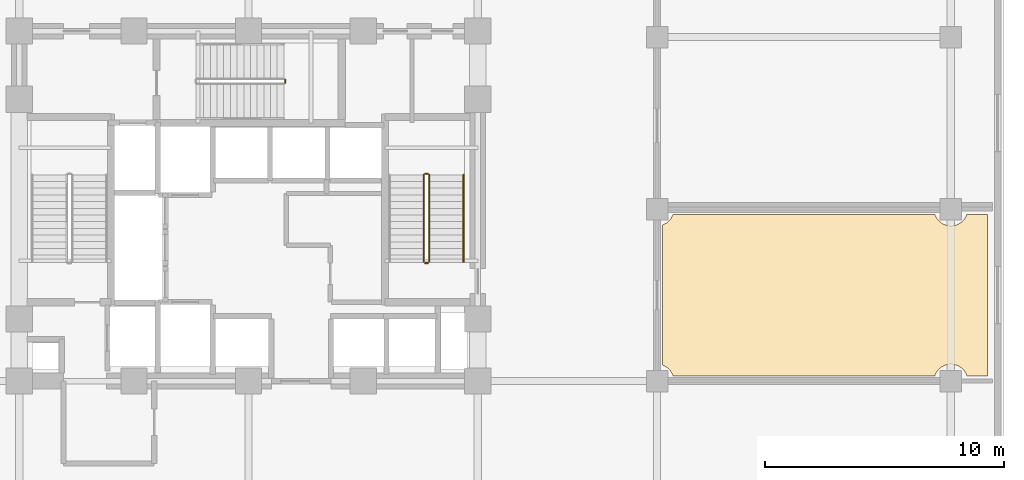
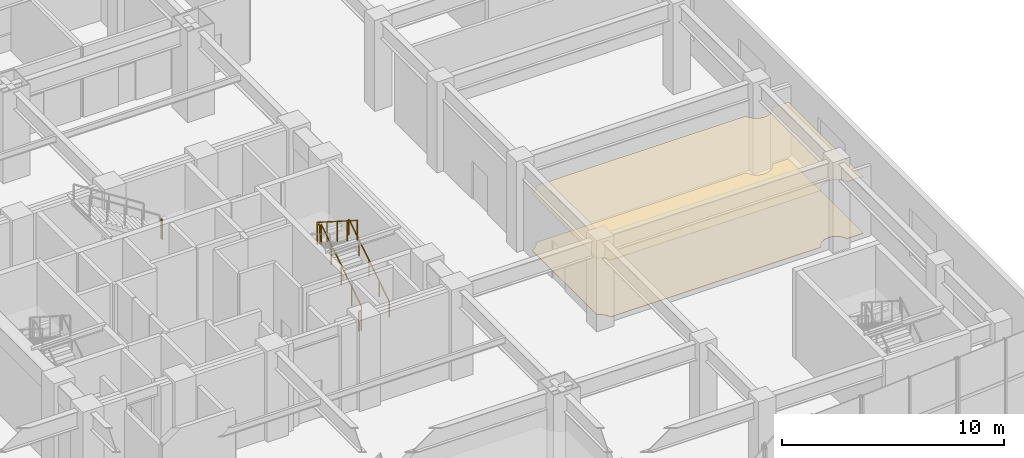
# One storey, part 20 of 24: 6 railings, 2 coverings.
"""IFC4 building model written with IfcOpenShell, lengths in metres."""

import ifcopenshell
import ifcopenshell.guid

model = None  # the IFC model being written
_history = None  # IfcOwnerHistory: only IFC2X3 demands one
_inside = {}  # id of a spatial element -> (the spatial element, [elements in it])
_under = {}  # id of a project, library or spatial element -> (it, [spatial elements below it])
_declared = {}  # id of a project -> (the project, [libraries it declares])
_typed = {}  # id of a type object -> (the type object, [elements of that type])
_made_of = {}  # id of a material, layer set ... -> (it, [elements and type objects made of it])


def new_model(schema):
    """Start an empty IFC model of exactly this schema.

    Asked for "IFC4X3", IfcOpenShell would pick the latest addendum, in which some entities
    have other attributes; the version numbers below select the first issue.
    IFC2X3 requires an IfcOwnerHistory on every rooted entity: one is made here for all.
    """
    global model, _history
    if schema == "IFC4X3":
        model = ifcopenshell.file(schema_version=(4, 3, 0, 0))
    else:
        model = ifcopenshell.file(schema=schema)
    _inside.clear()
    _under.clear()
    _declared.clear()
    _typed.clear()
    _made_of.clear()
    _history = None
    if model.schema == "IFC2X3":
        org = make("IfcOrganization", Name="unknown")
        user = make(
            "IfcPersonAndOrganization",
            ThePerson=make("IfcPerson", FamilyName="unknown"),
            TheOrganization=org,
        )
        app = make(
            "IfcApplication",
            ApplicationDeveloper=org,
            Version="unknown",
            ApplicationFullName="unknown",
            ApplicationIdentifier="unknown",
        )
        _history = make(
            "IfcOwnerHistory",
            OwningUser=user,
            OwningApplication=app,
            ChangeAction="ADDED",
            CreationDate=0,
        )
    return model


def make(cls, **values):
    """One entity of the class cls with the attributes given. An attribute that is None is left unset."""
    return model.create_entity(
        cls, **{name: value for name, value in values.items() if value is not None}
    )


def rooted(cls, **values):
    """An entity with a GlobalId (a new one), such as an element, a storey or a relation."""
    return make(cls, GlobalId=ifcopenshell.guid.new(), OwnerHistory=_history, **values)


def si_unit(unit_type, name, prefix=None):
    """IfcSIUnit, for example si_unit("LENGTHUNIT", "METRE", prefix="MILLI")."""
    return make("IfcSIUnit", UnitType=unit_type, Prefix=prefix, Name=name)


def assignment(units):
    """IfcUnitAssignment: the units of a project."""
    return None if units is None else make("IfcUnitAssignment", Units=units)


def point(xyz):
    """IfcCartesianPoint."""
    return None if xyz is None else make("IfcCartesianPoint", Coordinates=xyz)


def direction(xyz):
    """IfcDirection."""
    return None if xyz is None else make("IfcDirection", DirectionRatios=xyz)


def frame(location, z_axis=None, x_axis=None):
    """IfcAxis2Placement3D, a coordinate frame: its origin and axes. An axis left out is left unset."""
    return make(
        "IfcAxis2Placement3D",
        Location=point(location),
        Axis=direction(z_axis),
        RefDirection=direction(x_axis),
    )


def frame_2d(location, x_axis=None):
    """IfcAxis2Placement2D, a coordinate frame in the plane: its origin and x axis."""
    return make(
        "IfcAxis2Placement2D", Location=point(location), RefDirection=direction(x_axis)
    )


def origin():
    """The frame at (0, 0, 0) with its axes left unset."""
    return frame((0.0, 0.0, 0.0))


def origin_2d():
    """The frame at (0, 0) in the plane with its x axis left unset."""
    return frame_2d((0.0, 0.0))


def place(relative_to, where):
    """IfcLocalPlacement: puts the frame where relative to a parent placement (None: the world)."""
    return make(
        "IfcLocalPlacement", PlacementRelTo=relative_to, RelativePlacement=where
    )


def context(
    kind, dimensions, precision=None, world=None, true_north=None, identifier=None
):
    """IfcGeometricRepresentationContext, for example the 3D "Model" context."""
    return make(
        "IfcGeometricRepresentationContext",
        ContextIdentifier=identifier,
        ContextType=kind,
        CoordinateSpaceDimension=dimensions,
        Precision=precision,
        WorldCoordinateSystem=world,
        TrueNorth=true_north,
    )


def subcontext(parent, identifier, kind, view, scale=None):
    """IfcGeometricRepresentationSubContext, for example "Body" below "Model"."""
    return make(
        "IfcGeometricRepresentationSubContext",
        ContextIdentifier=identifier,
        ContextType=kind,
        ParentContext=parent,
        TargetScale=scale,
        TargetView=view,
    )


def project(units=None, contexts=None):
    """IfcProject with its units and contexts."""
    return rooted(
        "IfcProject",
        Name="project",
        RepresentationContexts=contexts,
        UnitsInContext=assignment(units),
    )


def spatial(cls, under=None, at=None, **own):
    """A site, building, storey or space (cls), placed at a placement, below another one or the project."""
    s = rooted(cls, ObjectPlacement=at, **own)
    if under is not None:
        _under.setdefault(under.id(), (under, []))[1].append(s)
    return s


def polyline(points):
    """IfcPolyline through the points."""
    return make("IfcPolyline", Points=[point(p) for p in points])


def profile(cls, at=None, kind="AREA", **sizes):
    """A parametric profile (cls). Its sizes go by their IFC names, for example OverallWidth=200.0."""
    return make(cls, ProfileType=kind, Position=at, **sizes)


def rectangle(**sizes):
    """IfcRectangleProfileDef."""
    return profile("IfcRectangleProfileDef", **sizes)


def outline(outer, holes=None, kind="AREA"):
    """IfcArbitraryClosedProfileDef: a profile drawn as a closed curve; with holes, ...WithVoids."""
    if holes is None:
        return make("IfcArbitraryClosedProfileDef", ProfileType=kind, OuterCurve=outer)
    return make(
        "IfcArbitraryProfileDefWithVoids",
        ProfileType=kind,
        OuterCurve=outer,
        InnerCurves=holes,
    )


def extrude(swept, where, along, depth):
    """IfcExtrudedAreaSolid: the profile swept, set in the frame where, extruded along a direction by depth."""
    return make(
        "IfcExtrudedAreaSolid",
        SweptArea=swept,
        Position=where,
        ExtrudedDirection=direction(along),
        Depth=depth,
    )


def shape(context_of_items, identifier, shape_type, items):
    """IfcShapeRepresentation: the items that make up one representation, for example the "Body"."""
    return make(
        "IfcShapeRepresentation",
        ContextOfItems=context_of_items,
        RepresentationIdentifier=identifier,
        RepresentationType=shape_type,
        Items=items,
    )


def material(Name=None, Category=None):
    """IfcMaterial."""
    return make("IfcMaterial", Name=Name, Category=Category)


def layer(
    of_material, thickness, ventilated=None, Name=None, Category=None, Priority=None
):
    """IfcMaterialLayer: one layer of a wall or slab, of a material (None: an air gap)."""
    return make(
        "IfcMaterialLayer",
        Material=of_material,
        LayerThickness=thickness,
        IsVentilated=ventilated,
        Name=Name,
        Category=Category,
        Priority=Priority,
    )


def layer_set(layers, Name=None):
    """IfcMaterialLayerSet."""
    return make("IfcMaterialLayerSet", MaterialLayers=layers, LayerSetName=Name)


def made_of(thing, what):
    """Note that an element or type object is made of a material, layer set ...; save() writes the relation."""
    if what is not None:
        _made_of.setdefault(what.id(), (what, []))[1].append(thing)
    return thing


def type_object(cls, material=None, **own):
    """A type object (cls), such as IfcWallType, which elements share."""
    return made_of(rooted(cls, **own), material)


def element(
    cls,
    number,
    at=None,
    inside=None,
    cuts=None,
    type_object=None,
    material=None,
    context=None,
    identifier="Body",
    shape_type=None,
    held_by="IfcProductDefinitionShape",
    body=None,
    shapes=None,
    **own,
):
    """One element of the class cls, such as IfcWall. Its Tag is "e" and its number.

    at: its placement. inside: the storey or other place that contains it. cuts: it is an
    opening in that element (IfcRelVoidsElement). A single representation is given by context,
    identifier, shape_type and body (its items); several are given by shapes. held_by: the class
    of the entity that holds the representations. save() writes the other relations.
    """
    e = rooted(cls, Tag="e%d" % number, ObjectPlacement=at, **own)
    if body is not None:
        shapes = [shape(context, identifier, shape_type, body)]
    if shapes is not None:
        e.Representation = make(held_by, Representations=shapes)
    if inside is not None:
        _inside.setdefault(inside.id(), (inside, []))[1].append(e)
    if cuts is not None:
        rooted(
            "IfcRelVoidsElement", RelatingBuildingElement=cuts, RelatedOpeningElement=e
        )
    if type_object is not None:
        _typed.setdefault(type_object.id(), (type_object, []))[1].append(e)
    return made_of(e, material)


def aggregate(whole, parts):
    """IfcRelAggregates: a whole, such as a stair, and the parts it consists of."""
    return rooted("IfcRelAggregates", RelatingObject=whole, RelatedObjects=parts)


def save(model, path):
    """Write the relations noted so far, then the file.

    IfcRelAggregates (storeys below a building ...), IfcRelContainedInSpatialStructure (elements
    in a storey), IfcRelDefinesByType, IfcRelAssociatesMaterial and IfcRelDeclares: one each for
    every whole, place, type object, material and project.
    """
    for whole, parts in _under.values():
        aggregate(whole, parts)
    for where, things in _inside.values():
        rooted(
            "IfcRelContainedInSpatialStructure",
            RelatedElements=things,
            RelatingStructure=where,
        )
    for kind, things in _typed.values():
        rooted("IfcRelDefinesByType", RelatedObjects=things, RelatingType=kind)
    for what, things in _made_of.values():
        rooted("IfcRelAssociatesMaterial", RelatedObjects=things, RelatingMaterial=what)
    for by, libraries in _declared.values():
        rooted("IfcRelDeclares", RelatingContext=by, RelatedDefinitions=libraries)
    model.write(path)


model = new_model("IFC4")

# Units and contexts
model_context = context("Model", 3, precision=1e-05, world=origin(), true_north=direction((0.0, 1.0)))
body_context = subcontext(model_context, "Body", "Model", "MODEL_VIEW")
ifc_project = project(units=[si_unit("LENGTHUNIT", "METRE"), si_unit("AREAUNIT", "SQUARE_METRE"), si_unit("VOLUMEUNIT", "CUBIC_METRE"), si_unit("PLANEANGLEUNIT", "RADIAN"), si_unit("MASSUNIT", "GRAM", prefix="KILO")], contexts=[model_context])

# Site, building, storey
site_placement = place(None, origin())
site = spatial("IfcSite", under=ifc_project, at=site_placement, CompositionType="ELEMENT")
building_placement = place(site_placement, origin())
building = spatial("IfcBuilding", under=site, at=building_placement, Name="Vantalir Tower", CompositionType="ELEMENT")
storey_placement = place(building_placement, frame((0.0, 0.0, 6.0)))
storey = spatial("IfcBuildingStorey", under=building, at=storey_placement, Name="L01", CompositionType="ELEMENT", Elevation=6.0)

# Coverings
ifc_material_1 = material(Name="Perforated acoustic gypsum ceiling board", Category="gypsum")
ifc_layer_1 = layer(ifc_material_1, 0.02001953125)
ifc_layer_set_1 = layer_set([ifc_layer_1], Name="Perforated acoustic gypsum ceiling board")
covering_type_1 = type_object("IfcCoveringType", Name="COV-ACOUSTIC-CEIL-20", PredefinedType="CEILING", material=ifc_layer_set_1)
covering_1_placement = place(storey_placement, frame((0.0, 0.0, 3.1298828125)))
element("IfcCovering", 1, at=covering_1_placement, inside=storey, type_object=covering_type_1, Name="Level 01 Harbour Seafood Dining Room Suspended Ceiling", PredefinedType="CEILING", context=body_context, shape_type="SweptSolid", body=[
    extrude(outline(polyline([(62.429931640625, 24.780029296875), (61.569091796875, 24.780029296875), (61.551025390625, 24.72998046875), (61.52197265625, 24.66796875), (61.486083984375, 24.60791015625), (61.445068359375, 24.552978515625), (61.39892578125, 24.5009765625), (61.346923828125, 24.455078125), (61.2919921875, 24.4140625), (61.23193359375, 24.3779296875), (61.169921875, 24.34912109375), (61.10498046875, 24.324951171875), (61.0380859375, 24.30908203125), (60.968994140625, 24.298095703125), (60.89990234375, 24.294921875), (60.8310546875, 24.298095703125), (60.761962890625, 24.30908203125), (60.695068359375, 24.324951171875), (60.6298828125, 24.34912109375), (60.568115234375, 24.3779296875), (60.508056640625, 24.4140625), (60.452880859375, 24.455078125), (60.40087890625, 24.5009765625), (60.35498046875, 24.552978515625), (60.31396484375, 24.60791015625), (60.278076171875, 24.66796875), (60.2490234375, 24.72998046875), (60.23095703125, 24.780029296875), (49.26904296875, 24.780029296875), (49.2509765625, 24.72998046875), (49.221923828125, 24.66796875), (49.18603515625, 24.60791015625), (49.14501953125, 24.552978515625), (49.09912109375, 24.5009765625), (49.047119140625, 24.455078125), (48.991943359375, 24.4140625), (48.931884765625, 24.3779296875), (48.8701171875, 24.34912109375), (48.820068359375, 24.3310546875), (48.820068359375, 18.468994140625), (48.8701171875, 18.450927734375), (48.931884765625, 18.422119140625), (48.991943359375, 18.385986328125), (49.047119140625, 18.344970703125), (49.09912109375, 18.299072265625), (49.14501953125, 18.2470703125), (49.18603515625, 18.19189453125), (49.221923828125, 18.132080078125), (49.2509765625, 18.070068359375), (49.26904296875, 18.02001953125), (60.23095703125, 18.02001953125), (60.2490234375, 18.070068359375), (60.278076171875, 18.132080078125), (60.31396484375, 18.19189453125), (60.35498046875, 18.2470703125), (60.40087890625, 18.299072265625), (60.452880859375, 18.344970703125), (60.508056640625, 18.385986328125), (60.568115234375, 18.422119140625), (60.6298828125, 18.450927734375), (60.695068359375, 18.47509765625), (60.761962890625, 18.490966796875), (60.8310546875, 18.501953125), (60.89990234375, 18.5048828125), (60.968994140625, 18.501953125), (61.0380859375, 18.490966796875), (61.10498046875, 18.47509765625), (61.169921875, 18.450927734375), (61.23193359375, 18.422119140625), (61.2919921875, 18.385986328125), (61.346923828125, 18.344970703125), (61.39892578125, 18.299072265625), (61.445068359375, 18.2470703125), (61.486083984375, 18.19189453125), (61.52197265625, 18.132080078125), (61.551025390625, 18.070068359375), (61.569091796875, 18.02001953125), (62.429931640625, 18.02001953125), (62.429931640625, 24.780029296875)])), origin(), (0.0, 0.0, 1.0), 0.02001953125),
])
ifc_material_2 = material(Name="Tropical teak timber and terrazzo floor finish", Category="wood")
ifc_layer_2 = layer(ifc_material_2, 0.02490234375)
ifc_layer_set_2 = layer_set([ifc_layer_2], Name="Tropical teak timber and terrazzo floor finish")
covering_type_2 = type_object("IfcCoveringType", Name="COV-TIMBER-STONE-25", PredefinedType="FLOORING", material=ifc_layer_set_2)
covering_2_placement = place(storey_placement, origin())
element("IfcCovering", 2, at=covering_2_placement, inside=storey, type_object=covering_type_2, Name="Level 01 Harbour Seafood Dining Room Floor Finish", PredefinedType="FLOORING", context=body_context, shape_type="SweptSolid", body=[
    extrude(outline(polyline([(62.429931640625, 24.780029296875), (61.569091796875, 24.780029296875), (61.551025390625, 24.72998046875), (61.52197265625, 24.66796875), (61.486083984375, 24.60791015625), (61.445068359375, 24.552978515625), (61.39892578125, 24.5009765625), (61.346923828125, 24.455078125), (61.2919921875, 24.4140625), (61.23193359375, 24.3779296875), (61.169921875, 24.34912109375), (61.10498046875, 24.324951171875), (61.0380859375, 24.30908203125), (60.968994140625, 24.298095703125), (60.89990234375, 24.294921875), (60.8310546875, 24.298095703125), (60.761962890625, 24.30908203125), (60.695068359375, 24.324951171875), (60.6298828125, 24.34912109375), (60.568115234375, 24.3779296875), (60.508056640625, 24.4140625), (60.452880859375, 24.455078125), (60.40087890625, 24.5009765625), (60.35498046875, 24.552978515625), (60.31396484375, 24.60791015625), (60.278076171875, 24.66796875), (60.2490234375, 24.72998046875), (60.23095703125, 24.780029296875), (49.26904296875, 24.780029296875), (49.2509765625, 24.72998046875), (49.221923828125, 24.66796875), (49.18603515625, 24.60791015625), (49.14501953125, 24.552978515625), (49.09912109375, 24.5009765625), (49.047119140625, 24.455078125), (48.991943359375, 24.4140625), (48.931884765625, 24.3779296875), (48.8701171875, 24.34912109375), (48.820068359375, 24.3310546875), (48.820068359375, 18.468994140625), (48.8701171875, 18.450927734375), (48.931884765625, 18.422119140625), (48.991943359375, 18.385986328125), (49.047119140625, 18.344970703125), (49.09912109375, 18.299072265625), (49.14501953125, 18.2470703125), (49.18603515625, 18.19189453125), (49.221923828125, 18.132080078125), (49.2509765625, 18.070068359375), (49.26904296875, 18.02001953125), (60.23095703125, 18.02001953125), (60.2490234375, 18.070068359375), (60.278076171875, 18.132080078125), (60.31396484375, 18.19189453125), (60.35498046875, 18.2470703125), (60.40087890625, 18.299072265625), (60.452880859375, 18.344970703125), (60.508056640625, 18.385986328125), (60.568115234375, 18.422119140625), (60.6298828125, 18.450927734375), (60.695068359375, 18.47509765625), (60.761962890625, 18.490966796875), (60.8310546875, 18.501953125), (60.89990234375, 18.5048828125), (60.968994140625, 18.501953125), (61.0380859375, 18.490966796875), (61.10498046875, 18.47509765625), (61.169921875, 18.450927734375), (61.23193359375, 18.422119140625), (61.2919921875, 18.385986328125), (61.346923828125, 18.344970703125), (61.39892578125, 18.299072265625), (61.445068359375, 18.2470703125), (61.486083984375, 18.19189453125), (61.52197265625, 18.132080078125), (61.551025390625, 18.070068359375), (61.569091796875, 18.02001953125), (62.429931640625, 18.02001953125), (62.429931640625, 24.780029296875)])), origin(), (0.0, 0.0, 1.0), 0.02490234375),
])

# Railings
ifc_material_3 = material(Name="Anodised aluminium and stainless steel guard", Category="steel")
railing_type_1 = type_object("IfcRailingType", Name="RAL-GUARD-1120", PredefinedType="GUARDRAIL", material=ifc_material_3)
railing_1_placement = place(storey_placement, frame((39.06005859375, 22.7900390625, 0.178466796875)))
element("IfcRailing", 3, at=railing_1_placement, inside=storey, type_object=railing_type_1, Name="Level 01 ST2 stair guard 1", PredefinedType="GUARDRAIL", context=body_context, shape_type="SweptSolid", body=[
    extrude(rectangle(XDim=0.048095703125, YDim=0.048095703125, at=origin_2d()), frame((0.0, 0.0, 1.09619140625), z_axis=(0.0, 0.843111507901, 0.53773877045), x_axis=(-1.0, 0.0, 0.0)), (0.0, 0.0, 1.0), 4.317138671875),
    extrude(rectangle(XDim=0.0419921875, YDim=0.0419921875, at=origin_2d()), origin(), (0.0, 0.0, 1.0), 1.072021484375),
    extrude(rectangle(XDim=0.0419921875, YDim=0.0419921875, at=origin_2d()), frame((0.0, 0.909912109375, 0.580322265625)), (0.0, 0.0, 1.0), 1.072021484375),
    extrude(rectangle(XDim=0.0419921875, YDim=0.0419921875, at=origin_2d()), frame((0.0, 1.81982421875, 1.16064453125)), (0.0, 0.0, 1.0), 1.072021484375),
    extrude(rectangle(XDim=0.0419921875, YDim=0.0419921875, at=origin_2d()), frame((0.0, 2.72998046875, 1.7412109375)), (0.0, 0.0, 1.0), 1.072021484375),
    extrude(rectangle(XDim=0.0419921875, YDim=0.0419921875, at=origin_2d()), frame((0.0, 3.639892578125, 2.321533203125)), (0.0, 0.0, 1.0), 1.072021484375),
])
railing_2_placement = place(storey_placement, frame((39.010009765625, 26.47998046875, 2.5)))
element("IfcRailing", 4, at=railing_2_placement, inside=storey, type_object=railing_type_1, Name="Level 01 ST2 stair guard 2", PredefinedType="GUARDRAIL", context=body_context, shape_type="SweptSolid", body=[
    extrude(rectangle(XDim=0.048095703125, YDim=0.048095703125, at=origin_2d()), frame((0.0, 0.0, 1.09619140625), z_axis=(-1.0, 0.0, 0.0), x_axis=(0.0, -1.0, 0.0)), (0.0, 0.0, 1.0), 0.1201171875),
    extrude(rectangle(XDim=0.0419921875, YDim=0.0419921875, at=origin_2d()), origin(), (0.0, 0.0, 1.0), 1.072021484375),
    extrude(rectangle(XDim=0.0419921875, YDim=0.0419921875, at=origin_2d()), frame((-0.1201171875, 0.0, 0.0)), (0.0, 0.0, 1.0), 1.072021484375),
])
railing_3_placement = place(storey_placement, frame((38.840087890625, 26.429931640625, 2.678466796875)))
element("IfcRailing", 5, at=railing_3_placement, inside=storey, type_object=railing_type_1, Name="Level 01 ST2 stair guard 3", PredefinedType="GUARDRAIL", context=body_context, shape_type="SweptSolid", body=[
    extrude(rectangle(XDim=0.048095703125, YDim=0.048095703125, at=origin_2d()), frame((0.0, 0.0, 1.09619140625), z_axis=(0.0, -0.843111507901, 0.53773877045), x_axis=(1.0, 0.0, 0.0)), (0.0, 0.0, 1.0), 4.317138671875),
    extrude(rectangle(XDim=0.0419921875, YDim=0.0419921875, at=origin_2d()), origin(), (0.0, 0.0, 1.0), 1.072021484375),
    extrude(rectangle(XDim=0.0419921875, YDim=0.0419921875, at=origin_2d()), frame((0.0, -0.909912109375, 0.580322265625)), (0.0, 0.0, 1.0), 1.072021484375),
    extrude(rectangle(XDim=0.0419921875, YDim=0.0419921875, at=origin_2d()), frame((0.0, -1.81982421875, 1.16064453125)), (0.0, 0.0, 1.0), 1.072021484375),
    extrude(rectangle(XDim=0.0419921875, YDim=0.0419921875, at=origin_2d()), frame((0.0, -2.72998046875, 1.7412109375)), (0.0, 0.0, 1.0), 1.072021484375),
    extrude(rectangle(XDim=0.0419921875, YDim=0.0419921875, at=origin_2d()), frame((0.0, -3.639892578125, 2.321533203125)), (0.0, 0.0, 1.0), 1.072021484375),
])
railing_4_placement = place(storey_placement, frame((39.010009765625, 22.739990234375, 0.0)))
element("IfcRailing", 6, at=railing_4_placement, inside=storey, type_object=railing_type_1, Name="Level 01 ST2 stair guard 4", PredefinedType="GUARDRAIL", context=body_context, shape_type="SweptSolid", body=[
    extrude(rectangle(XDim=0.048095703125, YDim=0.048095703125, at=origin_2d()), frame((0.0, 0.0, 1.09619140625), z_axis=(-1.0, 0.0, 0.0), x_axis=(0.0, -1.0, 0.0)), (0.0, 0.0, 1.0), 0.1201171875),
    extrude(rectangle(XDim=0.0419921875, YDim=0.0419921875, at=origin_2d()), origin(), (0.0, 0.0, 1.0), 1.072021484375),
    extrude(rectangle(XDim=0.0419921875, YDim=0.0419921875, at=origin_2d()), frame((-0.1201171875, 0.0, 0.0)), (0.0, 0.0, 1.0), 1.072021484375),
])
railing_5_placement = place(storey_placement, frame((33.030029296875, 30.2900390625, 2.5)))
element("IfcRailing", 7, at=railing_5_placement, inside=storey, type_object=railing_type_1, Name="Level 01 ST3 stair guard 2", PredefinedType="GUARDRAIL", context=body_context, shape_type="SweptSolid", body=[
    extrude(rectangle(XDim=0.048095703125, YDim=0.048095703125, at=origin_2d()), frame((0.0, 0.0, 1.09619140625), z_axis=(0.0, 1.0, 0.0), x_axis=(-1.0, 0.0, 0.0)), (0.0, 0.0, 1.0), 0.119873046875),
    extrude(rectangle(XDim=0.0419921875, YDim=0.0419921875, at=origin_2d()), origin(), (0.0, 0.0, 1.0), 1.072021484375),
    extrude(rectangle(XDim=0.0419921875, YDim=0.0419921875, at=origin_2d()), frame((0.0, 0.119873046875, 0.0)), (0.0, 0.0, 1.0), 1.072021484375),
])
ifc_material_4 = material(Name="Brushed stainless steel tubular handrail", Category="steel")
railing_type_2 = type_object("IfcRailingType", Name="RAL-HANDRAIL-900", PredefinedType="HANDRAIL", material=ifc_material_4)
railing_6_placement = place(storey_placement, frame((40.5, 22.7900390625, 0.178466796875)))
element("IfcRailing", 8, at=railing_6_placement, inside=storey, type_object=railing_type_2, Name="Level 01 ST2 stair handrail 1", PredefinedType="HANDRAIL", context=body_context, shape_type="SweptSolid", body=[
    extrude(rectangle(XDim=0.048095703125, YDim=0.048095703125, at=origin_2d()), frame((0.0, 0.0, 0.8759765625), z_axis=(0.0, 0.843111507901, 0.53773877045), x_axis=(-1.0, 0.0, 0.0)), (0.0, 0.0, 1.0), 4.317138671875),
    extrude(rectangle(XDim=0.0419921875, YDim=0.0419921875, at=origin_2d()), origin(), (0.0, 0.0, 1.0), 0.851806640625),
    extrude(rectangle(XDim=0.0419921875, YDim=0.0419921875, at=origin_2d()), frame((0.0, 0.909912109375, 0.580322265625)), (0.0, 0.0, 1.0), 0.851806640625),
    extrude(rectangle(XDim=0.0419921875, YDim=0.0419921875, at=origin_2d()), frame((0.0, 1.81982421875, 1.16064453125)), (0.0, 0.0, 1.0), 0.851806640625),
    extrude(rectangle(XDim=0.0419921875, YDim=0.0419921875, at=origin_2d()), frame((0.0, 2.72998046875, 1.7412109375)), (0.0, 0.0, 1.0), 0.851806640625),
    extrude(rectangle(XDim=0.0419921875, YDim=0.0419921875, at=origin_2d()), frame((0.0, 3.639892578125, 2.321533203125)), (0.0, 0.0, 1.0), 0.851806640625),
])

save(model, "model.ifc")
